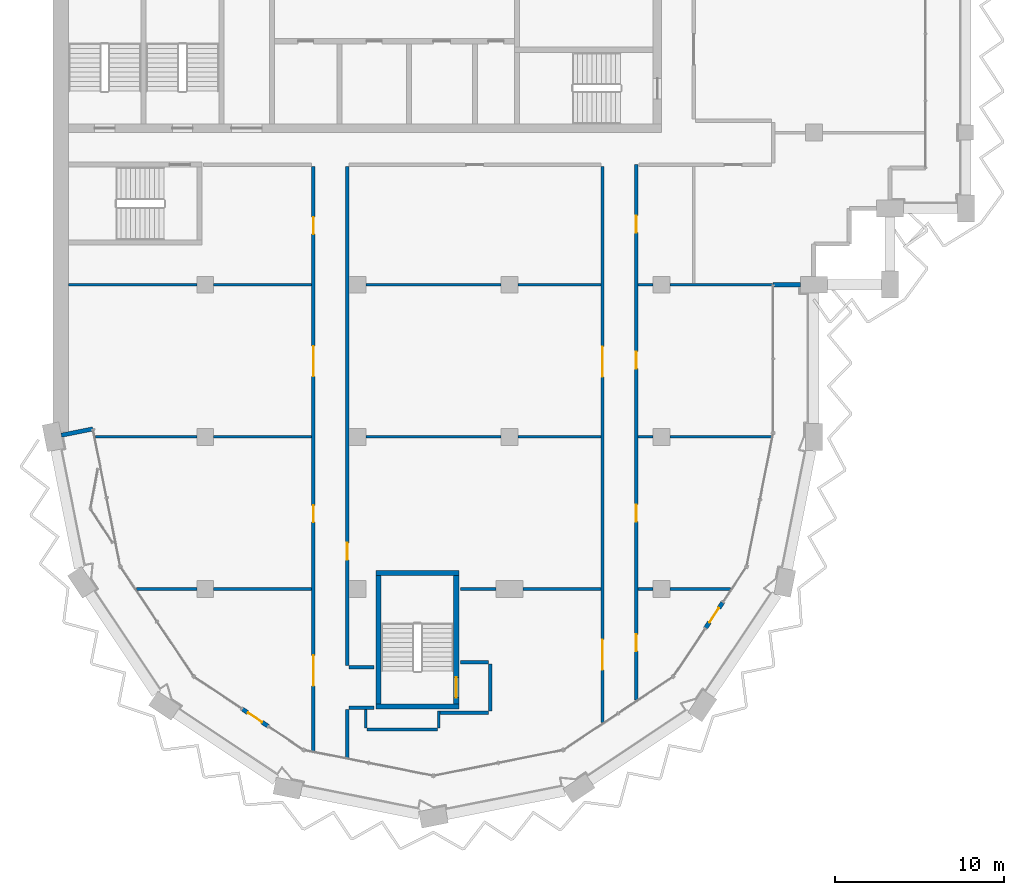
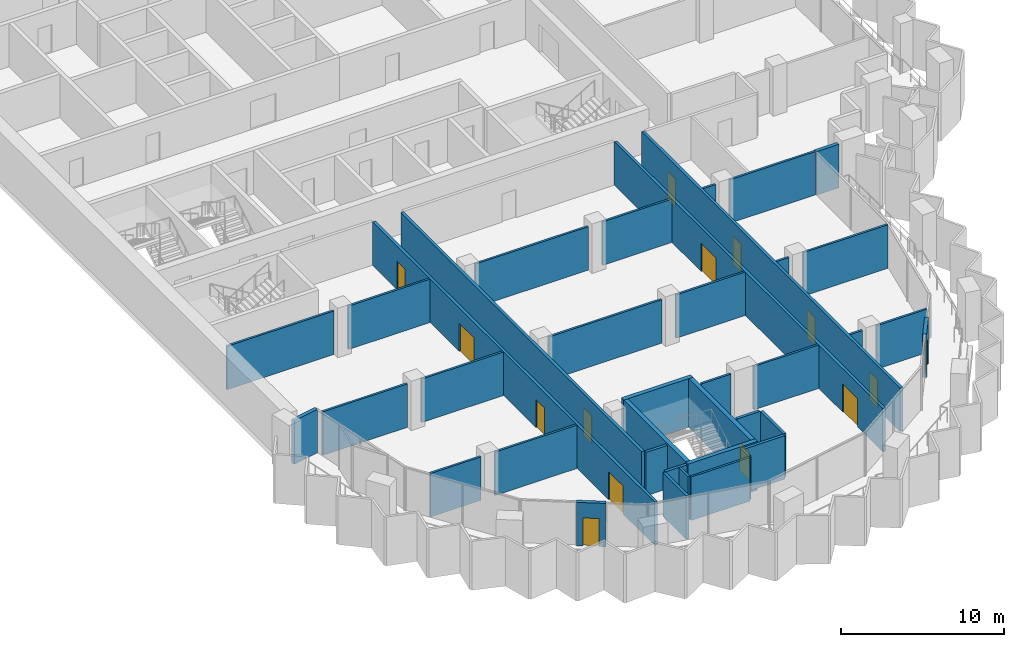
# One storey, part 8 of 17: 39 walls, 14 doors, 14 openings.
"""IFC4 building model written with IfcOpenShell, lengths in metres."""

from ifc_helpers import new_model, si_unit, direction, frame, frame_2d, origin, place, context, subcontext, project, spatial, rectangle, extrude, material, layer, layer_set, type_object, element, fill, save


model = new_model("IFC4")

# Units and contexts
model_context = context("Model", 3, precision=1e-05, world=origin(), true_north=direction((0.0, 1.0)))
body_context = subcontext(model_context, "Body", "Model", "MODEL_VIEW")
ifc_project = project(units=[si_unit("LENGTHUNIT", "METRE"), si_unit("AREAUNIT", "SQUARE_METRE"), si_unit("VOLUMEUNIT", "CUBIC_METRE"), si_unit("PLANEANGLEUNIT", "RADIAN"), si_unit("MASSUNIT", "GRAM", prefix="KILO")], contexts=[model_context])

# Site, building, storey
site_placement = place(None, origin())
site = spatial("IfcSite", under=ifc_project, at=site_placement, CompositionType="ELEMENT")
building_placement = place(site_placement, origin())
building = spatial("IfcBuilding", under=site, at=building_placement, Name="Hunhe Ridgeline Campus", CompositionType="ELEMENT")
storey_placement = place(building_placement, frame((0.0, 0.0, 272.5)))
storey = spatial("IfcBuildingStorey", under=building, at=storey_placement, Name="L70", CompositionType="ELEMENT", Elevation=272.5)

# Walls
ifc_material_1 = material(Name="Concrete C30", Category="concrete")
ifc_layer_1 = layer(ifc_material_1, 0.25)
ifc_layer_set_1 = layer_set([ifc_layer_1], Name="Corner return wall 250 Concrete C30")
wall_type_1 = type_object("IfcWallType", Name="Corner return wall 250 Concrete C30", PredefinedType="SOLIDWALL", material=ifc_layer_set_1)
wall_1_placement = place(storey_placement, frame((0.490234375, 45.098388671875, 0.0), z_axis=(0.0, 0.0, 1.0), x_axis=(0.980836699013, 0.194831644939, 0.0)))
element("IfcWall", 1, at=wall_1_placement, inside=storey, type_object=wall_type_1, Name="Corner return wall 1", PredefinedType="SOLIDWALL", context=body_context, shape_type="SweptSolid", body=[
    extrude(rectangle(XDim=1.90087890625, YDim=0.25, at=frame_2d((0.950439453125, 0.0))), origin(), (0.0, 0.0, 1.0), 3.25),
])
wall_2_placement = place(storey_placement, frame((42.59912109375, 54.00048828125, 0.0), z_axis=(0.0, 0.0, 1.0), x_axis=(0.999999988371, 0.000152508767, 0.0)))
element("IfcWall", 2, at=wall_2_placement, inside=storey, type_object=wall_type_1, Name="Corner return wall 2", PredefinedType="SOLIDWALL", context=body_context, shape_type="SweptSolid", body=[
    extrude(rectangle(XDim=1.600830078125, YDim=0.25, at=frame_2d((0.80029296875, 0.0))), origin(), (0.0, 0.0, 1.0), 3.25),
])
ifc_material_2 = material(Name="Gypsum board partition")
ifc_layer_2 = layer(ifc_material_2, 0.199951171875)
ifc_layer_set_2 = layer_set([ifc_layer_2], Name="Corridor partition 200 gypsum board on steel studs")
wall_type_2 = type_object("IfcWallType", Name="Corridor partition 200 gypsum board on steel studs", PredefinedType="PARTITIONING", material=ifc_layer_set_2)
wall_3_placement = place(storey_placement, frame((25.75, 28.675048828125, 0.0), z_axis=(0.0, 0.0, 1.0), x_axis=(-1.0, 0.0, 0.0)))
element("IfcWall", 3, at=wall_3_placement, inside=storey, type_object=wall_type_2, Name="F-L70-wall-002", PredefinedType="PARTITIONING", context=body_context, shape_type="SweptSolid", body=[
    extrude(rectangle(XDim=2.875, YDim=0.199951171875, at=frame_2d((1.4375, 0.0))), origin(), (0.0, 0.0, 1.0), 3.25),
])
for number, where, z_axis, x_axis, name in (
    (4, (18.99609375, 28.97509765625, 0.0), (0.0, 0.0, 1.0), (-1.0, 0.0, 0.0), "F-L70-wall-003"),
    (5, (17.5, 31.375, 0.0), (0.0, 0.0, 1.0), (1.0, 0.0, 0.0), "F-L70-wall-004"),
):
    element("IfcWall", number, at=place(storey_placement, frame(where, z_axis=z_axis, x_axis=x_axis)), inside=storey, type_object=wall_type_2, Name=name, PredefinedType="PARTITIONING", context=body_context, shape_type="SweptSolid", body=[
        extrude(rectangle(XDim=1.49609375, YDim=0.199951171875, at=frame_2d((0.748046875, 0.0))), origin(), (0.0, 0.0, 1.0), 3.25),
    ])
wall_4_placement = place(storey_placement, frame((24.10400390625, 31.675048828125, 0.0), z_axis=(0.0, 0.0, 1.0), x_axis=(1.0, 0.0, 0.0)))
element("IfcWall", 6, at=wall_4_placement, inside=storey, type_object=wall_type_2, Name="F-L70-wall-005", PredefinedType="PARTITIONING", context=body_context, shape_type="SweptSolid", body=[
    extrude(rectangle(XDim=1.64599609375, YDim=0.199951171875, at=frame_2d((0.822998046875, 0.0))), origin(), (0.0, 0.0, 1.0), 3.25),
])

# Wall, openings, doors
wall_5_placement = place(storey_placement, frame((15.39990234375, 26.415283203125, 0.0), z_axis=(0.0, 0.0, 1.0), x_axis=(0.0, 1.0, 0.0)))
wall_5 = element("IfcWall", 7, at=wall_5_placement, inside=storey, type_object=wall_type_2, Name="F-L70-wall-037", PredefinedType="PARTITIONING", context=body_context, shape_type="SweptSolid", body=[
    extrude(rectangle(XDim=34.584716796875, YDim=0.199951171875, at=frame_2d((17.29248046875, 0.0))), origin(), (0.0, 0.0, 1.0), 3.25),
])
opening_1_placement = place(wall_5_placement, frame((3.86181640625, 0.0, 0.0)))
opening_1 = element("IfcOpeningElement", 8, at=opening_1_placement, cuts=wall_5, Name="Opening RD2-001", PredefinedType="OPENING", context=body_context, shape_type="SweptSolid", body=[
    extrude(rectangle(XDim=1.800048828125, YDim=2.10009765625, at=frame_2d((0.89990234375, 1.050048828125))), frame((0.0, 0.10009765625, 0.0), z_axis=(0.0, -1.0, 0.0), x_axis=(1.0, 0.0, 0.0)), (0.0, 0.0, 1.0), 0.199951171875),
])
opening_2_placement = place(wall_5_placement, frame((13.5341796875, 0.0, 0.0)))
opening_2 = element("IfcOpeningElement", 9, at=opening_2_placement, cuts=wall_5, Name="Opening RD1-005", PredefinedType="OPENING", context=body_context, shape_type="SweptSolid", body=[
    extrude(rectangle(XDim=1.0, YDim=2.10009765625, at=frame_2d((0.5, 1.050048828125))), frame((0.0, 0.10009765625, 0.0), z_axis=(0.0, -1.0, 0.0), x_axis=(1.0, 0.0, 0.0)), (0.0, 0.0, 1.0), 0.199951171875),
])
opening_3_placement = place(wall_5_placement, frame((22.156494140625, 0.0, 0.0)))
opening_3 = element("IfcOpeningElement", 10, at=opening_3_placement, cuts=wall_5, Name="Opening RD2-008", PredefinedType="OPENING", context=body_context, shape_type="SweptSolid", body=[
    extrude(rectangle(XDim=1.800048828125, YDim=2.10009765625, at=frame_2d((0.89990234375, 1.050048828125))), frame((0.0, 0.10009765625, 0.0), z_axis=(0.0, -1.0, 0.0), x_axis=(1.0, 0.0, 0.0)), (0.0, 0.0, 1.0), 0.199951171875),
])
opening_4_placement = place(wall_5_placement, frame((30.575927734375, 0.0, 0.0)))
opening_4 = element("IfcOpeningElement", 11, at=opening_4_placement, cuts=wall_5, Name="Opening RD1-010", PredefinedType="OPENING", context=body_context, shape_type="SweptSolid", body=[
    extrude(rectangle(XDim=1.0, YDim=2.10009765625, at=frame_2d((0.5, 1.050048828125))), frame((0.0, 0.10009765625, 0.0), z_axis=(0.0, -1.0, 0.0), x_axis=(1.0, 0.0, 0.0)), (0.0, 0.0, 1.0), 0.199951171875),
])
ifc_material_3 = material(Name="Timber door leaf", Category="wood")
door_type_1 = type_object("IfcDoorType", Name="Double fire door 1800x2100 timber FD60", OperationType="DOUBLE_DOOR_SINGLE_SWING", PredefinedType="DOOR", material=ifc_material_3)
door_1_placement = place(opening_1_placement, origin())
door_1 = element("IfcDoor", 12, at=door_1_placement, inside=storey, type_object=door_type_1, Name="F-L70-door-001", OperationType="DOUBLE_DOOR_SINGLE_SWING", OverallHeight=2.10009765625, OverallWidth=1.800048828125, PredefinedType="DOOR", context=body_context, shape_type="SweptSolid", body=[
    extrude(rectangle(XDim=1.800048828125, YDim=2.10009765625, at=frame_2d((0.89990234375, 1.050048828125))), frame((0.0, 0.02490234375, 0.0), z_axis=(0.0, -1.0, 0.0), x_axis=(1.0, 0.0, 0.0)), (0.0, 0.0, 1.0), 0.050048828125),
])
fill(opening_1, door_1)
door_2_placement = place(opening_3_placement, origin())
door_2 = element("IfcDoor", 13, at=door_2_placement, inside=storey, type_object=door_type_1, Name="F-L70-door-008", OperationType="DOUBLE_DOOR_SINGLE_SWING", OverallHeight=2.10009765625, OverallWidth=1.800048828125, PredefinedType="DOOR", context=body_context, shape_type="SweptSolid", body=[
    extrude(rectangle(XDim=1.800048828125, YDim=2.10009765625, at=frame_2d((0.89990234375, 1.050048828125))), frame((0.0, 0.02490234375, 0.0), z_axis=(0.0, -1.0, 0.0), x_axis=(1.0, 0.0, 0.0)), (0.0, 0.0, 1.0), 0.050048828125),
])
fill(opening_3, door_2)
door_type_2 = type_object("IfcDoorType", Name="Single fire door 1000x2100 timber FD60", OperationType="NOTDEFINED", PredefinedType="DOOR", material=ifc_material_3)
door_3_placement = place(opening_2_placement, origin())
door_3 = element("IfcDoor", 14, at=door_3_placement, inside=storey, type_object=door_type_2, Name="F-L70-door-005", OperationType="SINGLE_SWING_RIGHT", OverallHeight=2.10009765625, OverallWidth=1.0, PredefinedType="DOOR", context=body_context, shape_type="SweptSolid", body=[
    extrude(rectangle(XDim=1.0, YDim=2.10009765625, at=frame_2d((0.5, 1.050048828125))), frame((0.0, 0.02490234375, 0.0), z_axis=(0.0, -1.0, 0.0), x_axis=(1.0, 0.0, 0.0)), (0.0, 0.0, 1.0), 0.050048828125),
])
fill(opening_2, door_3)
door_4_placement = place(opening_4_placement, origin())
door_4 = element("IfcDoor", 15, at=door_4_placement, inside=storey, type_object=door_type_2, Name="F-L70-door-010", OperationType="SINGLE_SWING_RIGHT", OverallHeight=2.10009765625, OverallWidth=1.0, PredefinedType="DOOR", context=body_context, shape_type="SweptSolid", body=[
    extrude(rectangle(XDim=1.0, YDim=2.10009765625, at=frame_2d((0.5, 1.050048828125))), frame((0.0, 0.02490234375, 0.0), z_axis=(0.0, -1.0, 0.0), x_axis=(1.0, 0.0, 0.0)), (0.0, 0.0, 1.0), 0.050048828125),
])
fill(opening_4, door_4)

# Wall
wall_6_placement = place(storey_placement, frame((17.39990234375, 28.875, 0.0), z_axis=(0.0, 0.0, 1.0), x_axis=(0.0, -1.0, 0.0)))
element("IfcWall", 16, at=wall_6_placement, inside=storey, type_object=wall_type_2, Name="F-L70-wall-038", PredefinedType="PARTITIONING", context=body_context, shape_type="SweptSolid", body=[
    extrude(rectangle(XDim=2.857421875, YDim=0.199951171875, at=frame_2d((1.4287109375, 0.0))), origin(), (0.0, 0.0, 1.0), 3.25),
])

# Wall, opening, door
wall_7_placement = place(storey_placement, frame((17.39990234375, 61.0, 0.0), z_axis=(0.0, 0.0, 1.0), x_axis=(0.0, -1.0, 0.0)))
wall_7 = element("IfcWall", 17, at=wall_7_placement, inside=storey, type_object=wall_type_2, Name="F-L70-wall-039", PredefinedType="PARTITIONING", context=body_context, shape_type="SweptSolid", body=[
    extrude(rectangle(XDim=29.52490234375, YDim=0.199951171875, at=frame_2d((14.762451171875, 0.0))), origin(), (0.0, 0.0, 1.0), 3.25),
])
opening_5_placement = place(wall_7_placement, frame((22.269287109375, 0.0, 0.0)))
opening_5 = element("IfcOpeningElement", 18, at=opening_5_placement, cuts=wall_7, Name="Opening RD1-004", PredefinedType="OPENING", context=body_context, shape_type="SweptSolid", body=[
    extrude(rectangle(XDim=1.0, YDim=2.10009765625, at=frame_2d((0.5, 1.050048828125))), frame((0.0, 0.10009765625, 0.0), z_axis=(0.0, -1.0, 0.0), x_axis=(1.0, 0.0, 0.0)), (0.0, 0.0, 1.0), 0.199951171875),
])
door_5_placement = place(opening_5_placement, origin())
door_5 = element("IfcDoor", 19, at=door_5_placement, inside=storey, type_object=door_type_2, Name="F-L70-door-004", OperationType="SINGLE_SWING_RIGHT", OverallHeight=2.10009765625, OverallWidth=1.0, PredefinedType="DOOR", context=body_context, shape_type="SweptSolid", body=[
    extrude(rectangle(XDim=1.0, YDim=2.10009765625, at=frame_2d((0.5, 1.050048828125))), frame((0.0, 0.02490234375, 0.0), z_axis=(0.0, -1.0, 0.0), x_axis=(1.0, 0.0, 0.0)), (0.0, 0.0, 1.0), 0.050048828125),
])
fill(opening_5, door_5)

# Wall
wall_8_placement = place(storey_placement, frame((25.85009765625, 31.574951171875, 0.0), z_axis=(0.0, 0.0, 1.0), x_axis=(0.0, -1.0, 0.0)))
element("IfcWall", 20, at=wall_8_placement, inside=storey, type_object=wall_type_2, Name="F-L70-wall-042", PredefinedType="PARTITIONING", context=body_context, shape_type="SweptSolid", body=[
    extrude(rectangle(XDim=2.800048828125, YDim=0.199951171875, at=frame_2d((1.39990234375, 0.0))), origin(), (0.0, 0.0, 1.0), 3.25),
])

# Wall, openings, doors
wall_9_placement = place(storey_placement, frame((32.5, 28.09375, 0.0), z_axis=(0.0, 0.0, 1.0), x_axis=(0.0, 1.0, 0.0)))
wall_9 = element("IfcWall", 21, at=wall_9_placement, inside=storey, type_object=wall_type_2, Name="F-L70-wall-043", PredefinedType="PARTITIONING", context=body_context, shape_type="SweptSolid", body=[
    extrude(rectangle(XDim=32.90625, YDim=0.199951171875, at=frame_2d((16.453125, 0.0))), origin(), (0.0, 0.0, 1.0), 3.25),
])
opening_6_placement = place(wall_9_placement, frame((3.119140625, 0.0, 0.0)))
opening_6 = element("IfcOpeningElement", 22, at=opening_6_placement, cuts=wall_9, Name="Opening RD2-002", PredefinedType="OPENING", context=body_context, shape_type="SweptSolid", body=[
    extrude(rectangle(XDim=1.800048828125, YDim=2.10009765625, at=frame_2d((0.89990234375, 1.050048828125))), frame((0.0, 0.10009765625, 0.0), z_axis=(0.0, -1.0, 0.0), x_axis=(1.0, 0.0, 0.0)), (0.0, 0.0, 1.0), 0.199951171875),
])
opening_7_placement = place(wall_9_placement, frame((20.451416015625, 0.0, 0.0)))
opening_7 = element("IfcOpeningElement", 23, at=opening_7_placement, cuts=wall_9, Name="Opening RD2-007", PredefinedType="OPENING", context=body_context, shape_type="SweptSolid", body=[
    extrude(rectangle(XDim=1.800048828125, YDim=2.10009765625, at=frame_2d((0.89990234375, 1.050048828125))), frame((0.0, 0.10009765625, 0.0), z_axis=(0.0, -1.0, 0.0), x_axis=(1.0, 0.0, 0.0)), (0.0, 0.0, 1.0), 0.199951171875),
])
door_6_placement = place(opening_6_placement, origin())
door_6 = element("IfcDoor", 24, at=door_6_placement, inside=storey, type_object=door_type_1, Name="F-L70-door-002", OperationType="DOUBLE_DOOR_SINGLE_SWING", OverallHeight=2.10009765625, OverallWidth=1.800048828125, PredefinedType="DOOR", context=body_context, shape_type="SweptSolid", body=[
    extrude(rectangle(XDim=1.800048828125, YDim=2.10009765625, at=frame_2d((0.89990234375, 1.050048828125))), frame((0.0, 0.02490234375, 0.0), z_axis=(0.0, -1.0, 0.0), x_axis=(1.0, 0.0, 0.0)), (0.0, 0.0, 1.0), 0.050048828125),
])
fill(opening_6, door_6)
door_7_placement = place(opening_7_placement, origin())
door_7 = element("IfcDoor", 25, at=door_7_placement, inside=storey, type_object=door_type_1, Name="F-L70-door-007", OperationType="DOUBLE_DOOR_SINGLE_SWING", OverallHeight=2.10009765625, OverallWidth=1.800048828125, PredefinedType="DOOR", context=body_context, shape_type="SweptSolid", body=[
    extrude(rectangle(XDim=1.800048828125, YDim=2.10009765625, at=frame_2d((0.89990234375, 1.050048828125))), frame((0.0, 0.02490234375, 0.0), z_axis=(0.0, -1.0, 0.0), x_axis=(1.0, 0.0, 0.0)), (0.0, 0.0, 1.0), 0.050048828125),
])
fill(opening_7, door_7)

wall_10_placement = place(storey_placement, frame((34.5, 61.10009765625, 0.0), z_axis=(0.0, 0.0, 1.0), x_axis=(0.0, -1.0, 0.0)))
wall_10 = element("IfcWall", 26, at=wall_10_placement, inside=storey, type_object=wall_type_2, Name="F-L70-wall-044", PredefinedType="PARTITIONING", context=body_context, shape_type="SweptSolid", body=[
    extrude(rectangle(XDim=31.669921875, YDim=0.199951171875, at=frame_2d((15.8349609375, 0.0))), origin(), (0.0, 0.0, 1.0), 3.25),
])
opening_8_placement = place(wall_10_placement, frame((27.776611328125, 0.0, 0.0)))
opening_8 = element("IfcOpeningElement", 27, at=opening_8_placement, cuts=wall_10, Name="Opening RD1-003", PredefinedType="OPENING", context=body_context, shape_type="SweptSolid", body=[
    extrude(rectangle(XDim=1.0, YDim=2.10009765625, at=frame_2d((0.5, 1.050048828125))), frame((0.0, 0.10009765625, 0.0), z_axis=(0.0, -1.0, 0.0), x_axis=(1.0, 0.0, 0.0)), (0.0, 0.0, 1.0), 0.199951171875),
])
opening_9_placement = place(wall_10_placement, frame((20.110595703125, 0.0, 0.0)))
opening_9 = element("IfcOpeningElement", 28, at=opening_9_placement, cuts=wall_10, Name="Opening RD1-006", PredefinedType="OPENING", context=body_context, shape_type="SweptSolid", body=[
    extrude(rectangle(XDim=1.0, YDim=2.10009765625, at=frame_2d((0.5, 1.050048828125))), frame((0.0, 0.10009765625, 0.0), z_axis=(0.0, -1.0, 0.0), x_axis=(1.0, 0.0, 0.0)), (0.0, 0.0, 1.0), 0.199951171875),
])
opening_10_placement = place(wall_10_placement, frame((11.06201171875, 0.0, 0.0)))
opening_10 = element("IfcOpeningElement", 29, at=opening_10_placement, cuts=wall_10, Name="Opening RD1-009", PredefinedType="OPENING", context=body_context, shape_type="SweptSolid", body=[
    extrude(rectangle(XDim=1.0, YDim=2.10009765625, at=frame_2d((0.5, 1.050048828125))), frame((0.0, 0.10009765625, 0.0), z_axis=(0.0, -1.0, 0.0), x_axis=(1.0, 0.0, 0.0)), (0.0, 0.0, 1.0), 0.199951171875),
])
opening_11_placement = place(wall_10_placement, frame((3.018798828125, 0.0, 0.0)))
opening_11 = element("IfcOpeningElement", 30, at=opening_11_placement, cuts=wall_10, Name="Opening RD1-011", PredefinedType="OPENING", context=body_context, shape_type="SweptSolid", body=[
    extrude(rectangle(XDim=1.0, YDim=2.10009765625, at=frame_2d((0.5, 1.050048828125))), frame((0.0, 0.10009765625, 0.0), z_axis=(0.0, -1.0, 0.0), x_axis=(1.0, 0.0, 0.0)), (0.0, 0.0, 1.0), 0.199951171875),
])
door_8_placement = place(opening_8_placement, origin())
door_8 = element("IfcDoor", 31, at=door_8_placement, inside=storey, type_object=door_type_2, Name="F-L70-door-003", OperationType="SINGLE_SWING_LEFT", OverallHeight=2.10009765625, OverallWidth=1.0, PredefinedType="DOOR", context=body_context, shape_type="SweptSolid", body=[
    extrude(rectangle(XDim=1.0, YDim=2.10009765625, at=frame_2d((0.5, 1.050048828125))), frame((0.0, 0.02490234375, 0.0), z_axis=(0.0, -1.0, 0.0), x_axis=(1.0, 0.0, 0.0)), (0.0, 0.0, 1.0), 0.050048828125),
])
fill(opening_8, door_8)
door_9_placement = place(opening_9_placement, origin())
door_9 = element("IfcDoor", 32, at=door_9_placement, inside=storey, type_object=door_type_2, Name="F-L70-door-006", OperationType="SINGLE_SWING_LEFT", OverallHeight=2.10009765625, OverallWidth=1.0, PredefinedType="DOOR", context=body_context, shape_type="SweptSolid", body=[
    extrude(rectangle(XDim=1.0, YDim=2.10009765625, at=frame_2d((0.5, 1.050048828125))), frame((0.0, 0.02490234375, 0.0), z_axis=(0.0, -1.0, 0.0), x_axis=(1.0, 0.0, 0.0)), (0.0, 0.0, 1.0), 0.050048828125),
])
fill(opening_9, door_9)
door_10_placement = place(opening_10_placement, origin())
door_10 = element("IfcDoor", 33, at=door_10_placement, inside=storey, type_object=door_type_2, Name="F-L70-door-009", OperationType="SINGLE_SWING_LEFT", OverallHeight=2.10009765625, OverallWidth=1.0, PredefinedType="DOOR", context=body_context, shape_type="SweptSolid", body=[
    extrude(rectangle(XDim=1.0, YDim=2.10009765625, at=frame_2d((0.5, 1.050048828125))), frame((0.0, 0.02490234375, 0.0), z_axis=(0.0, -1.0, 0.0), x_axis=(1.0, 0.0, 0.0)), (0.0, 0.0, 1.0), 0.050048828125),
])
fill(opening_10, door_10)
door_11_placement = place(opening_11_placement, origin())
door_11 = element("IfcDoor", 34, at=door_11_placement, inside=storey, type_object=door_type_2, Name="F-L70-door-011", OperationType="SINGLE_SWING_LEFT", OverallHeight=2.10009765625, OverallWidth=1.0, PredefinedType="DOOR", context=body_context, shape_type="SweptSolid", body=[
    extrude(rectangle(XDim=1.0, YDim=2.10009765625, at=frame_2d((0.5, 1.050048828125))), frame((0.0, 0.02490234375, 0.0), z_axis=(0.0, -1.0, 0.0), x_axis=(1.0, 0.0, 0.0)), (0.0, 0.0, 1.0), 0.050048828125),
])
fill(opening_11, door_11)

# Wall, opening, door
ifc_layer_3 = layer(ifc_material_1, 0.25)
ifc_layer_set_3 = layer_set([ifc_layer_3], Name="Loggia door pier wall 250 Concrete C30")
wall_type_3 = type_object("IfcWallType", Name="Loggia door pier wall 250 Concrete C30", PredefinedType="SOLIDWALL", material=ifc_layer_set_3)
wall_11_placement = place(storey_placement, frame((11.19970703125, 28.897705078125, 0.0), z_axis=(0.0, 0.0, 1.0), x_axis=(0.83146554274, -0.555576323502, 0.0)))
wall_11 = element("IfcWall", 35, at=wall_11_placement, inside=storey, type_object=wall_type_3, Name="Loggia door pier 1", PredefinedType="SOLIDWALL", context=body_context, shape_type="SweptSolid", body=[
    extrude(rectangle(XDim=1.800048828125, YDim=0.25, at=frame_2d((0.89990234375, 0.0))), origin(), (0.0, 0.0, 1.0), 3.25),
])
opening_12_placement = place(wall_11_placement, frame((0.39990234375, 0.0, 0.0)))
opening_12 = element("IfcOpeningElement", 36, at=opening_12_placement, cuts=wall_11, Name="Opening BD502", PredefinedType="OPENING", context=body_context, shape_type="SweptSolid", body=[
    extrude(rectangle(XDim=1.0, YDim=2.10009765625, at=frame_2d((0.5, 1.050048828125))), frame((0.0, 0.125, 0.0), z_axis=(0.0, -1.0, 0.0), x_axis=(1.0, 0.0, 0.0)), (0.0, 0.0, 1.0), 0.25),
])
ifc_material_4 = material(Name="Aluminium 6063", Category="aluminium")
door_type_3 = type_object("IfcDoorType", Name="Loggia glazed door 1000x2100", OperationType="NOTDEFINED", PredefinedType="DOOR", material=ifc_material_4)
door_12_placement = place(opening_12_placement, frame((1.0, 0.0, 0.0), z_axis=(0.0, 0.0, 1.0), x_axis=(-1.0, 0.0, 0.0)))
door_12 = element("IfcDoor", 37, at=door_12_placement, inside=storey, type_object=door_type_3, Name="Loggia door BD502", OperationType="SINGLE_SWING_LEFT", OverallHeight=2.10009765625, OverallWidth=1.0, PredefinedType="DOOR", context=body_context, shape_type="SweptSolid", body=[
    extrude(rectangle(XDim=1.0, YDim=2.10009765625, at=frame_2d((0.5, 1.050048828125))), frame((0.0, 0.02490234375, 0.0), z_axis=(0.0, -1.0, 0.0), x_axis=(1.0, 0.0, 0.0)), (0.0, 0.0, 1.0), 0.050048828125),
])
fill(opening_12, door_12)

wall_12_placement = place(storey_placement, frame((38.602294921875, 33.69970703125, 0.0), z_axis=(0.0, 0.0, 1.0), x_axis=(0.555576323502, 0.83146554274, 0.0)))
wall_12 = element("IfcWall", 38, at=wall_12_placement, inside=storey, type_object=wall_type_3, Name="Loggia door pier 2", PredefinedType="SOLIDWALL", context=body_context, shape_type="SweptSolid", body=[
    extrude(rectangle(XDim=1.800048828125, YDim=0.25, at=frame_2d((0.89990234375, 0.0))), origin(), (0.0, 0.0, 1.0), 3.25),
])
opening_13_placement = place(wall_12_placement, frame((0.39990234375, 0.0, 0.0)))
opening_13 = element("IfcOpeningElement", 39, at=opening_13_placement, cuts=wall_12, Name="Opening BD504", PredefinedType="OPENING", context=body_context, shape_type="SweptSolid", body=[
    extrude(rectangle(XDim=1.0, YDim=2.10009765625, at=frame_2d((0.5, 1.050048828125))), frame((0.0, 0.125, 0.0), z_axis=(0.0, -1.0, 0.0), x_axis=(1.0, 0.0, 0.0)), (0.0, 0.0, 1.0), 0.25),
])
door_13_placement = place(opening_13_placement, frame((1.0, 0.0, 0.0), z_axis=(0.0, 0.0, 1.0), x_axis=(-1.0, 0.0, 0.0)))
door_13 = element("IfcDoor", 40, at=door_13_placement, inside=storey, type_object=door_type_3, Name="Loggia door BD504", OperationType="SINGLE_SWING_LEFT", OverallHeight=2.10009765625, OverallWidth=1.0, PredefinedType="DOOR", context=body_context, shape_type="SweptSolid", body=[
    extrude(rectangle(XDim=1.0, YDim=2.10009765625, at=frame_2d((0.5, 1.050048828125))), frame((0.0, 0.02490234375, 0.0), z_axis=(0.0, -1.0, 0.0), x_axis=(1.0, 0.0, 0.0)), (0.0, 0.0, 1.0), 0.050048828125),
])
fill(opening_13, door_13)

# Walls
ifc_layer_4 = layer(ifc_material_2, 0.14990234375)
ifc_layer_set_4 = layer_set([ifc_layer_4], Name="Room partition 150 gypsum board on steel studs")
wall_type_4 = type_object("IfcWallType", Name="Room partition 150 gypsum board on steel studs", PredefinedType="PARTITIONING", material=ifc_layer_set_4)
wall_13_placement = place(storey_placement, frame((18.574951171875, 27.68994140625, 0.0), z_axis=(0.0, 0.0, 1.0), x_axis=(1.0, 0.0, 0.0)))
element("IfcWall", 41, at=wall_13_placement, inside=storey, type_object=wall_type_4, Name="F-L70-wall-001", PredefinedType="PARTITIONING", context=body_context, shape_type="SweptSolid", body=[
    extrude(rectangle(XDim=4.150146484375, YDim=0.14990234375, at=frame_2d((2.0751953125, 0.0))), origin(), (0.0, 0.0, 1.0), 3.25),
])
wall_14_placement = place(storey_placement, frame((4.925537109375, 36.0, 0.0), z_axis=(0.0, 0.0, 1.0), x_axis=(1.0, 0.0, 0.0)))
element("IfcWall", 42, at=wall_14_placement, inside=storey, type_object=wall_type_4, Name="F-L70-wall-006", PredefinedType="PARTITIONING", context=body_context, shape_type="SweptSolid", body=[
    extrude(rectangle(XDim=3.574462890625, YDim=0.14990234375, at=frame_2d((1.787109375, 0.0))), origin(), (0.0, 0.0, 1.0), 3.25),
])
wall_15_placement = place(storey_placement, frame((9.5, 36.0, 0.0), z_axis=(0.0, 0.0, 1.0), x_axis=(1.0, 0.0, 0.0)))
element("IfcWall", 43, at=wall_15_placement, inside=storey, type_object=wall_type_4, Name="F-L70-wall-007", PredefinedType="PARTITIONING", context=body_context, shape_type="SweptSolid", body=[
    extrude(rectangle(XDim=5.800048828125, YDim=0.14990234375, at=frame_2d((2.89990234375, 0.0))), origin(), (0.0, 0.0, 1.0), 3.25),
])
wall_16_placement = place(storey_placement, frame((24.10400390625, 36.0, 0.0), z_axis=(0.0, 0.0, 1.0), x_axis=(1.0, 0.0, 0.0)))
element("IfcWall", 44, at=wall_16_placement, inside=storey, type_object=wall_type_4, Name="F-L70-wall-008", PredefinedType="PARTITIONING", context=body_context, shape_type="SweptSolid", body=[
    extrude(rectangle(XDim=2.095947265625, YDim=0.14990234375, at=frame_2d((1.0478515625, 0.0))), origin(), (0.0, 0.0, 1.0), 3.25),
])
wall_17_placement = place(storey_placement, frame((27.800048828125, 36.0, 0.0), z_axis=(0.0, 0.0, 1.0), x_axis=(1.0, 0.0, 0.0)))
element("IfcWall", 45, at=wall_17_placement, inside=storey, type_object=wall_type_4, Name="F-L70-wall-009", PredefinedType="PARTITIONING", context=body_context, shape_type="SweptSolid", body=[
    extrude(rectangle(XDim=4.599853515625, YDim=0.14990234375, at=frame_2d((2.2998046875, 0.0))), origin(), (0.0, 0.0, 1.0), 3.25),
])
wall_18_placement = place(storey_placement, frame((34.60009765625, 36.0, 0.0), z_axis=(0.0, 0.0, 1.0), x_axis=(1.0, 0.0, 0.0)))
element("IfcWall", 46, at=wall_18_placement, inside=storey, type_object=wall_type_4, Name="F-L70-wall-010", PredefinedType="PARTITIONING", context=body_context, shape_type="SweptSolid", body=[
    extrude(rectangle(XDim=0.89990234375, YDim=0.14990234375, at=frame_2d((0.449951171875, 0.0))), origin(), (0.0, 0.0, 1.0), 3.25),
])
wall_19_placement = place(storey_placement, frame((36.5, 36.0, 0.0), z_axis=(0.0, 0.0, 1.0), x_axis=(1.0, 0.0, 0.0)))
element("IfcWall", 47, at=wall_19_placement, inside=storey, type_object=wall_type_4, Name="F-L70-wall-011", PredefinedType="PARTITIONING", context=body_context, shape_type="SweptSolid", body=[
    extrude(rectangle(XDim=3.574462890625, YDim=0.14990234375, at=frame_2d((1.787109375, 0.0))), origin(), (0.0, 0.0, 1.0), 3.25),
])
wall_20_placement = place(storey_placement, frame((2.503173828125, 45.0, 0.0), z_axis=(0.0, 0.0, 1.0), x_axis=(1.0, 0.0, 0.0)))
element("IfcWall", 48, at=wall_20_placement, inside=storey, type_object=wall_type_4, Name="F-L70-wall-012", PredefinedType="PARTITIONING", context=body_context, shape_type="SweptSolid", body=[
    extrude(rectangle(XDim=5.996826171875, YDim=0.14990234375, at=frame_2d((2.99853515625, 0.0))), origin(), (0.0, 0.0, 1.0), 3.25),
])
wall_21_placement = place(storey_placement, frame((9.5, 45.0, 0.0), z_axis=(0.0, 0.0, 1.0), x_axis=(1.0, 0.0, 0.0)))
element("IfcWall", 49, at=wall_21_placement, inside=storey, type_object=wall_type_4, Name="F-L70-wall-013", PredefinedType="PARTITIONING", context=body_context, shape_type="SweptSolid", body=[
    extrude(rectangle(XDim=5.800048828125, YDim=0.14990234375, at=frame_2d((2.89990234375, 0.0))), origin(), (0.0, 0.0, 1.0), 3.25),
])
wall_22_placement = place(storey_placement, frame((18.5, 45.0, 0.0), z_axis=(0.0, 0.0, 1.0), x_axis=(1.0, 0.0, 0.0)))
element("IfcWall", 50, at=wall_22_placement, inside=storey, type_object=wall_type_4, Name="F-L70-wall-014", PredefinedType="PARTITIONING", context=body_context, shape_type="SweptSolid", body=[
    extrude(rectangle(XDim=8.0, YDim=0.14990234375, at=frame_2d((4.0, 0.0))), origin(), (0.0, 0.0, 1.0), 3.25),
])
wall_23_placement = place(storey_placement, frame((27.5, 45.0, 0.0), z_axis=(0.0, 0.0, 1.0), x_axis=(1.0, 0.0, 0.0)))
element("IfcWall", 51, at=wall_23_placement, inside=storey, type_object=wall_type_4, Name="F-L70-wall-015", PredefinedType="PARTITIONING", context=body_context, shape_type="SweptSolid", body=[
    extrude(rectangle(XDim=4.89990234375, YDim=0.14990234375, at=frame_2d((2.449951171875, 0.0))), origin(), (0.0, 0.0, 1.0), 3.25),
])
wall_24_placement = place(storey_placement, frame((34.60009765625, 45.0, 0.0), z_axis=(0.0, 0.0, 1.0), x_axis=(1.0, 0.0, 0.0)))
element("IfcWall", 52, at=wall_24_placement, inside=storey, type_object=wall_type_4, Name="F-L70-wall-016", PredefinedType="PARTITIONING", context=body_context, shape_type="SweptSolid", body=[
    extrude(rectangle(XDim=0.89990234375, YDim=0.14990234375, at=frame_2d((0.449951171875, 0.0))), origin(), (0.0, 0.0, 1.0), 3.25),
])
wall_25_placement = place(storey_placement, frame((36.5, 45.0, 0.0), z_axis=(0.0, 0.0, 1.0), x_axis=(1.0, 0.0, 0.0)))
element("IfcWall", 53, at=wall_25_placement, inside=storey, type_object=wall_type_4, Name="F-L70-wall-017", PredefinedType="PARTITIONING", context=body_context, shape_type="SweptSolid", body=[
    extrude(rectangle(XDim=5.996826171875, YDim=0.14990234375, at=frame_2d((2.99853515625, 0.0))), origin(), (0.0, 0.0, 1.0), 3.25),
])
wall_26_placement = place(storey_placement, frame((0.919921875, 54.0, 0.0), z_axis=(0.0, 0.0, 1.0), x_axis=(1.0, 0.0, 0.0)))
element("IfcWall", 54, at=wall_26_placement, inside=storey, type_object=wall_type_4, Name="F-L70-wall-018", PredefinedType="PARTITIONING", context=body_context, shape_type="SweptSolid", body=[
    extrude(rectangle(XDim=7.580078125, YDim=0.14990234375, at=frame_2d((3.7900390625, 0.0))), origin(), (0.0, 0.0, 1.0), 3.25),
])
wall_27_placement = place(storey_placement, frame((9.5, 54.0, 0.0), z_axis=(0.0, 0.0, 1.0), x_axis=(1.0, 0.0, 0.0)))
element("IfcWall", 55, at=wall_27_placement, inside=storey, type_object=wall_type_4, Name="F-L70-wall-019", PredefinedType="PARTITIONING", context=body_context, shape_type="SweptSolid", body=[
    extrude(rectangle(XDim=5.800048828125, YDim=0.14990234375, at=frame_2d((2.89990234375, 0.0))), origin(), (0.0, 0.0, 1.0), 3.25),
])
wall_28_placement = place(storey_placement, frame((18.5, 54.0, 0.0), z_axis=(0.0, 0.0, 1.0), x_axis=(1.0, 0.0, 0.0)))
element("IfcWall", 56, at=wall_28_placement, inside=storey, type_object=wall_type_4, Name="F-L70-wall-020", PredefinedType="PARTITIONING", context=body_context, shape_type="SweptSolid", body=[
    extrude(rectangle(XDim=8.0, YDim=0.14990234375, at=frame_2d((4.0, 0.0))), origin(), (0.0, 0.0, 1.0), 3.25),
])
wall_29_placement = place(storey_placement, frame((27.5, 54.0, 0.0), z_axis=(0.0, 0.0, 1.0), x_axis=(1.0, 0.0, 0.0)))
element("IfcWall", 57, at=wall_29_placement, inside=storey, type_object=wall_type_4, Name="F-L70-wall-021", PredefinedType="PARTITIONING", context=body_context, shape_type="SweptSolid", body=[
    extrude(rectangle(XDim=4.89990234375, YDim=0.14990234375, at=frame_2d((2.449951171875, 0.0))), origin(), (0.0, 0.0, 1.0), 3.25),
])
wall_30_placement = place(storey_placement, frame((34.60009765625, 54.0, 0.0), z_axis=(0.0, 0.0, 1.0), x_axis=(1.0, 0.0, 0.0)))
element("IfcWall", 58, at=wall_30_placement, inside=storey, type_object=wall_type_4, Name="F-L70-wall-022", PredefinedType="PARTITIONING", context=body_context, shape_type="SweptSolid", body=[
    extrude(rectangle(XDim=0.89990234375, YDim=0.14990234375, at=frame_2d((0.449951171875, 0.0))), origin(), (0.0, 0.0, 1.0), 3.25),
])
wall_31_placement = place(storey_placement, frame((36.5, 54.0, 0.0), z_axis=(0.0, 0.0, 1.0), x_axis=(1.0, 0.0, 0.0)))
element("IfcWall", 59, at=wall_31_placement, inside=storey, type_object=wall_type_4, Name="F-L70-wall-023", PredefinedType="PARTITIONING", context=body_context, shape_type="SweptSolid", body=[
    extrude(rectangle(XDim=6.045166015625, YDim=0.14990234375, at=frame_2d((3.0224609375, 0.0))), origin(), (0.0, 0.0, 1.0), 3.25),
])
wall_32_placement = place(storey_placement, frame((18.5, 28.875, 0.0), z_axis=(0.0, 0.0, 1.0), x_axis=(0.0, -1.0, 0.0)))
element("IfcWall", 60, at=wall_32_placement, inside=storey, type_object=wall_type_4, Name="F-L70-wall-040", PredefinedType="PARTITIONING", context=body_context, shape_type="SweptSolid", body=[
    extrude(rectangle(XDim=1.110107421875, YDim=0.14990234375, at=frame_2d((0.55517578125, 0.0))), origin(), (0.0, 0.0, 1.0), 3.25),
])
wall_33_placement = place(storey_placement, frame((22.800048828125, 28.7958984375, 0.0), z_axis=(0.0, 0.0, 1.0), x_axis=(0.0, -1.0, 0.0)))
element("IfcWall", 61, at=wall_33_placement, inside=storey, type_object=wall_type_4, Name="F-L70-wall-041", PredefinedType="PARTITIONING", context=body_context, shape_type="SweptSolid", body=[
    extrude(rectangle(XDim=1.031005859375, YDim=0.14990234375, at=frame_2d((0.515625, 0.0))), origin(), (0.0, 0.0, 1.0), 3.25),
])
ifc_material_5 = material(Name="Concrete C50", Category="concrete")
ifc_layer_5 = layer(ifc_material_5, 0.300048828125)
ifc_layer_set_5 = layer_set([ifc_layer_5], Name="Stair wall 300 reinforced concrete C50")
wall_type_5 = type_object("IfcWallType", Name="Stair wall 300 reinforced concrete C50", PredefinedType="SOLIDWALL", material=ifc_layer_set_5)
for number, where, z_axis, x_axis, name in (
    (62, (19.10009765625, 29.050048828125, -0.39990234375), (0.0, 0.0, 1.0), (1.0, 0.0, 0.0), "L70 core wall 1"),
    (63, (19.10009765625, 36.949951171875, -0.39990234375), (0.0, 0.0, 1.0), (1.0, 0.0, 0.0), "L70 core wall 2"),
):
    element("IfcWall", number, at=place(storey_placement, frame(where, z_axis=z_axis, x_axis=x_axis)), inside=storey, type_object=wall_type_5, Name=name, PredefinedType="SOLIDWALL", context=body_context, shape_type="SweptSolid", body=[
        extrude(rectangle(XDim=4.89990234375, YDim=0.300048828125, at=frame_2d((2.449951171875, 0.0))), origin(), (0.0, 0.0, 1.0), 3.64990234375),
    ])
wall_34_placement = place(storey_placement, frame((19.25, 29.199951171875, -0.39990234375), z_axis=(0.0, 0.0, 1.0), x_axis=(0.0, 1.0, 0.0)))
element("IfcWall", 64, at=wall_34_placement, inside=storey, type_object=wall_type_5, Name="L70 core wall 40", PredefinedType="SOLIDWALL", context=body_context, shape_type="SweptSolid", body=[
    extrude(rectangle(XDim=7.60009765625, YDim=0.300048828125, at=frame_2d((3.800048828125, 0.0))), origin(), (0.0, 0.0, 1.0), 3.64990234375),
])

# Wall, opening, door
wall_35_placement = place(storey_placement, frame((23.85009765625, 29.199951171875, -0.39990234375), z_axis=(0.0, 0.0, 1.0), x_axis=(0.0, 1.0, 0.0)))
wall_35 = element("IfcWall", 65, at=wall_35_placement, inside=storey, type_object=wall_type_5, Name="L70 core wall 45", PredefinedType="SOLIDWALL", context=body_context, shape_type="SweptSolid", body=[
    extrude(rectangle(XDim=7.60009765625, YDim=0.300048828125, at=frame_2d((3.800048828125, 0.0))), origin(), (0.0, 0.0, 1.0), 3.64990234375),
])
opening_14_placement = place(wall_35_placement, frame((0.375, 0.0, 0.39990234375)))
opening_14 = element("IfcOpeningElement", 66, at=opening_14_placement, cuts=wall_35, Name="Opening CD23", PredefinedType="OPENING", context=body_context, shape_type="SweptSolid", body=[
    extrude(rectangle(XDim=1.199951171875, YDim=2.10009765625, at=frame_2d((0.60009765625, 1.050048828125))), frame((0.0, 0.14990234375, 0.0), z_axis=(0.0, -1.0, 0.0), x_axis=(1.0, 0.0, 0.0)), (0.0, 0.0, 1.0), 0.300048828125),
])
ifc_material_6 = material(Name="Hollow metal fire door leaf")
door_type_4 = type_object("IfcDoorType", Name="Stair door 1200x2100 FD60", OperationType="SINGLE_SWING_LEFT", PredefinedType="DOOR", material=ifc_material_6)
door_14_placement = place(opening_14_placement, frame((1.199951171875, 0.0, 0.0), z_axis=(0.0, 0.0, 1.0), x_axis=(-1.0, 0.0, 0.0)))
door_14 = element("IfcDoor", 67, at=door_14_placement, inside=storey, type_object=door_type_4, Name="L70 door W3", OperationType="SINGLE_SWING_LEFT", OverallHeight=2.10009765625, OverallWidth=1.199951171875, PredefinedType="DOOR", context=body_context, shape_type="SweptSolid", body=[
    extrude(rectangle(XDim=1.199951171875, YDim=2.10009765625, at=frame_2d((0.60009765625, 1.050048828125))), frame((0.0, 0.02490234375, 0.0), z_axis=(0.0, -1.0, 0.0), x_axis=(1.0, 0.0, 0.0)), (0.0, 0.0, 1.0), 0.050048828125),
])
fill(opening_14, door_14)

save(model, "model.ifc")
